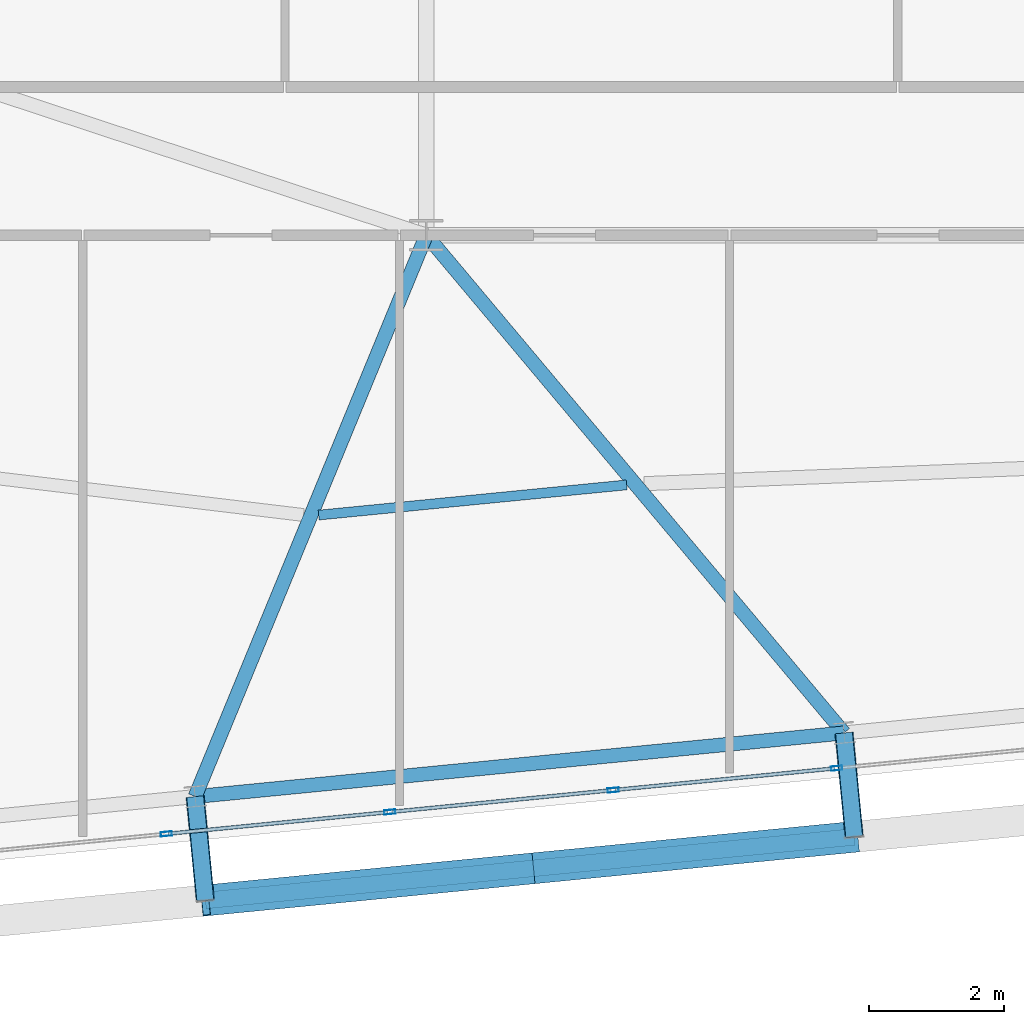
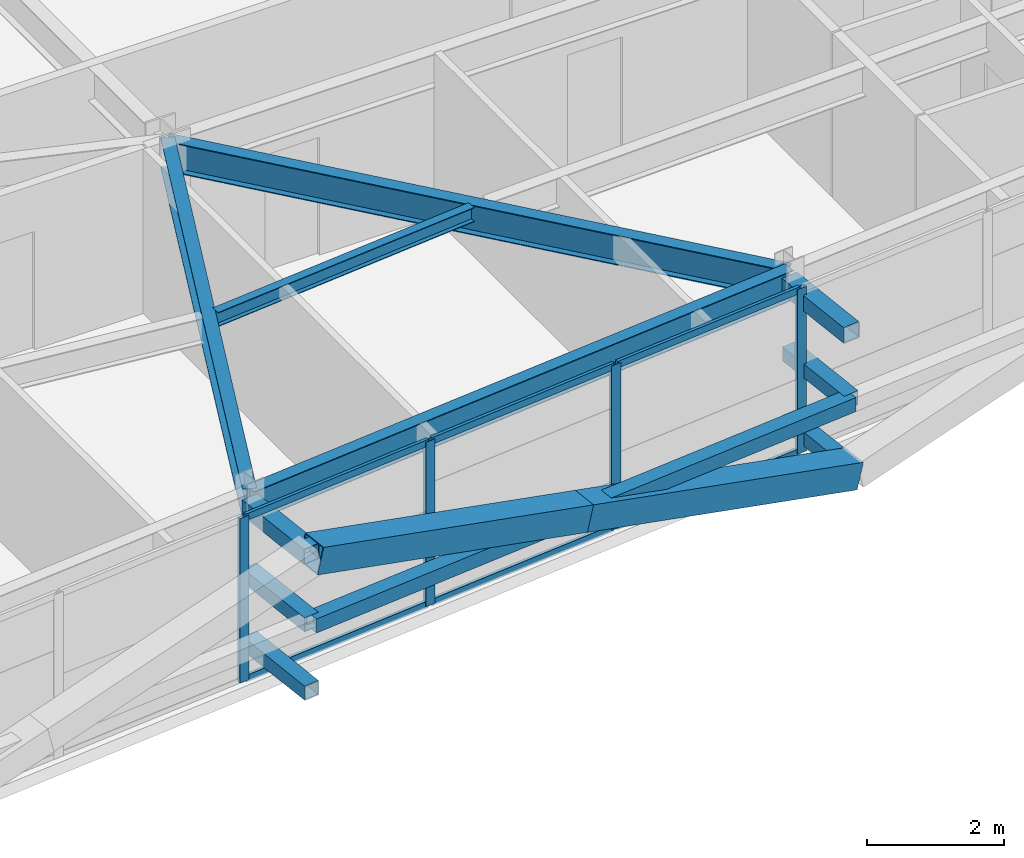
# One storey, part 10 of 53: 19 members, 4 beams, 1 element without a shape of its own.
"""IFC4 building model written with IfcOpenShell, lengths in metres."""

from ifc_helpers import new_model, si_unit, direction, frame, origin, origin_2d, place, context, subcontext, project, spatial, hollow_rectangle, i_section, extrude, source, transform, mapped, material, layer, layer_set, material_profile, profile_set, type_object, element, aggregate, save


model = new_model("IFC4")

# Units and contexts
model_context = context("Model", 3, precision=1e-05, world=origin(), true_north=direction((0.0, 1.0)))
body_context = subcontext(model_context, "Body", "Model", "MODEL_VIEW")
ifc_project = project(units=[si_unit("LENGTHUNIT", "METRE"), si_unit("AREAUNIT", "SQUARE_METRE"), si_unit("VOLUMEUNIT", "CUBIC_METRE"), si_unit("PLANEANGLEUNIT", "RADIAN"), si_unit("MASSUNIT", "GRAM", prefix="KILO")], contexts=[model_context])

# Site, building, storey
site_placement = place(None, origin())
site = spatial("IfcSite", under=ifc_project, at=site_placement, CompositionType="ELEMENT")
building_placement = place(site_placement, origin())
building = spatial("IfcBuilding", under=site, at=building_placement, Name="Taldren Reach Tower", CompositionType="ELEMENT")
storey_placement = place(building_placement, frame((0.0, 0.0, 68.25)))
storey = spatial("IfcBuildingStorey", under=building, at=storey_placement, Name="L20", CompositionType="ELEMENT", Elevation=68.25)

# Beams
ifc_material_1 = material(Name="Steel Gr 350 (350PLUS)", Category="steel")
ifc_material_profile_1 = material_profile(ifc_material_1, i_section(OverallWidth=0.208984375, OverallDepth=0.528076171875, WebThickness=0.009521484375, FlangeThickness=0.01318359375, at=origin_2d()), Name="530UB82.0")
ifc_profile_set_1 = profile_set([ifc_material_profile_1], Name="Steel Gr 350 (350PLUS)")
beam_type_1 = type_object("IfcBeamType", Name="SP-UB530B", PredefinedType="SPANDREL", material=ifc_profile_set_1)
shared_shape_1 = source(origin(), body_context, "Body", "SweptSolid", [
    extrude(i_section(OverallWidth=0.208984375, OverallDepth=0.528076171875, WebThickness=0.009521484375, FlangeThickness=0.01318359375, at=origin_2d()), origin(), (0.0, 0.0, 1.0), 9.679931640625),
])
beam_1_placement = place(storey_placement, frame((24.56787109375, 0.86474609375, 2.666015625), z_axis=(0.995227612658, 0.097580730699, 0.0), x_axis=(-0.097580730699, 0.995227612658, 0.0)))
element("IfcBeam", 1, at=beam_1_placement, inside=storey, type_object=beam_type_1, Name="Perimeter spandrel B2 S2-S3 L20", PredefinedType="SPANDREL", context=body_context, shape_type="MappedRepresentation", body=[
    mapped(shared_shape_1, transform((0.0, 0.0, 0.0), scale=1.0)),
])
ifc_material_profile_2 = material_profile(ifc_material_1, i_section(OverallWidth=0.208984375, OverallDepth=0.532958984375, WebThickness=0.01025390625, FlangeThickness=0.015625, at=origin_2d()), Name="530UB92.4")
ifc_profile_set_2 = profile_set([ifc_material_profile_2], Name="Steel Gr 350 (350PLUS)")
beam_type_2 = type_object("IfcBeamType", Name="BM-UB530A", PredefinedType="BEAM", material=ifc_profile_set_2)
shared_shape_2 = source(origin(), body_context, "Body", "SweptSolid", [
    extrude(i_section(OverallWidth=0.208984375, OverallDepth=0.532958984375, WebThickness=0.01025390625, FlangeThickness=0.015625, at=origin_2d()), origin(), (0.0, 0.0, 1.0), 9.01416015625),
])
beam_2_placement = place(storey_placement, frame((28.0, 9.199951171875, 2.66357421875), z_axis=(-0.380748443035, -0.924678659387, 0.0), x_axis=(0.924678659387, -0.380748443035, 0.0)))
element("IfcBeam", 2, at=beam_2_placement, inside=storey, type_object=beam_type_2, Name="Primary floor girder B2-S2 L20", PredefinedType="BEAM", context=body_context, shape_type="MappedRepresentation", body=[
    mapped(shared_shape_2, transform((0.0, 0.0, 0.0), scale=1.0)),
])
shared_shape_3 = source(origin(), body_context, "Body", "SweptSolid", [
    extrude(i_section(OverallWidth=0.208984375, OverallDepth=0.532958984375, WebThickness=0.01025390625, FlangeThickness=0.015625, at=origin_2d()), origin(), (0.0, 0.0, 1.0), 9.64794921875),
])
beam_3_placement = place(storey_placement, frame((28.0, 9.199951171875, 2.66357421875), z_axis=(0.642799132398, -0.766034774268, 0.0), x_axis=(0.766034774268, 0.642799132398, 0.0)))
element("IfcBeam", 3, at=beam_3_placement, inside=storey, type_object=beam_type_2, Name="Primary floor girder B2-S3 L20", PredefinedType="BEAM", context=body_context, shape_type="MappedRepresentation", body=[
    mapped(shared_shape_3, transform((0.0, 0.0, 0.0), scale=1.0)),
])
ifc_material_2 = material(Name="Steel Gr 300 (300PLUS, 300 MPa)", Category="steel")
ifc_material_profile_3 = material_profile(ifc_material_2, i_section(OverallWidth=0.14599609375, OverallDepth=0.256103515625, WebThickness=0.00634765625, FlangeThickness=0.010986328125, at=origin_2d()), Name="250UB37.3")
ifc_profile_set_3 = profile_set([ifc_material_profile_3], Name="Steel Gr 300 (300PLUS, 300 MPa)")
beam_type_3 = type_object("IfcBeamType", Name="JS-UB250", PredefinedType="JOIST", material=ifc_profile_set_3)
shared_shape_4 = source(origin(), body_context, "Body", "SweptSolid", [
    extrude(i_section(OverallWidth=0.14599609375, OverallDepth=0.256103515625, WebThickness=0.00634765625, FlangeThickness=0.010986328125, at=origin_2d()), origin(), (0.0, 0.0, 1.0), 4.594970703125),
])
beam_4_placement = place(storey_placement, frame((26.40185546875, 5.0439453125, 2.802001953125), z_axis=(0.995230447096, 0.097551817888, 0.0), x_axis=(-0.097551817888, 0.995230447096, 0.0)))
element("IfcBeam", 4, at=beam_4_placement, inside=storey, type_object=beam_type_3, Name="Secondary floor joist B2 J2 L20", PredefinedType="JOIST", context=body_context, shape_type="MappedRepresentation", body=[
    mapped(shared_shape_4, transform((0.0, 0.0, 0.0), scale=1.0)),
])

# Members
ifc_material_3 = material(Name="Steel Gr 450 (C450L0)", Category="steel")
ifc_material_profile_4 = material_profile(ifc_material_3, hollow_rectangle(XDim=0.27490234375, YDim=0.27490234375, WallThickness=0.00927734375, at=origin_2d()), Name="275x275x9.3SHS")
ifc_profile_set_4 = profile_set([ifc_material_profile_4], Name="Steel Gr 450 (C450L0)")
member_type_1 = type_object("IfcMemberType", Name="MB-TIE273", PredefinedType="STRUT", material=ifc_profile_set_4)
shared_shape_5 = source(origin(), body_context, "Body", "SweptSolid", [
    extrude(hollow_rectangle(XDim=0.27490234375, YDim=0.27490234375, WallThickness=0.00927734375, at=origin_2d()), origin(), (0.0, 0.0, 1.0), 1.550048828125),
])
for number, where, z_axis, x_axis, name in (
    (5, (24.56787109375, 0.86474609375, 2.64990234375), (0.097647892962, -0.9952210252, 0.0), (0.9952210252, 0.097647892962, 0.0), "Exoskeleton diaphragm tie strut B2-S2 L20"),
    (6, (34.20166015625, 1.809326171875, 2.64990234375), (0.097647892962, -0.9952210252, 0.0), (0.9952210252, 0.097647892962, 0.0), "Exoskeleton diaphragm tie strut B2-S3 L20"),
):
    element("IfcMember", number, at=place(storey_placement, frame(where, z_axis=z_axis, x_axis=x_axis)), inside=storey, type_object=member_type_1, Name=name, PredefinedType="STRUT", context=body_context, shape_type="MappedRepresentation", body=[
        mapped(shared_shape_5, transform((0.0, 0.0, 0.0), scale=1.0)),
    ])
ifc_material_profile_5 = material_profile(ifc_material_3, hollow_rectangle(XDim=0.4599609375, YDim=0.4599609375, WallThickness=0.01611328125, at=origin_2d()), Name="460x460x16.0SHS")
ifc_profile_set_5 = profile_set([ifc_material_profile_5], Name="Steel Gr 450 (C450L0)")
member_type_2 = type_object("IfcMemberType", Name="MB-EXO457", PredefinedType="BRACE", material=ifc_profile_set_5)
shared_shape_6 = source(origin(), body_context, "Body", "SweptSolid", [
    extrude(hollow_rectangle(XDim=0.4599609375, YDim=0.4599609375, WallThickness=0.01611328125, at=origin_2d()), origin(), (0.0, 0.0, 1.0), 4.990234375),
])
for number, where, z_axis, x_axis, name in (
    (7, (34.35302734375, 0.2666015625, 0.219970703125), (-0.965275526283, -0.094619506732, 0.243496010862), (0.097555749586, -0.995230061706, 0.0), "Exoskeleton Diagrid Brace B2-S2 L20"),
    (8, (29.5361328125, -0.20556640625, 1.43505859375), (-0.965282554799, -0.094669120301, 0.243448859234), (0.097605711627, -0.995225162995, 0.0), "Exoskeleton Diagrid Brace B2-S2 L20"),
):
    element("IfcMember", number, at=place(storey_placement, frame(where, z_axis=z_axis, x_axis=x_axis)), inside=storey, type_object=member_type_2, Name=name, PredefinedType="BRACE", context=body_context, shape_type="MappedRepresentation", body=[
        mapped(shared_shape_6, transform((0.0, 0.0, 0.0), scale=1.0)),
    ])
ifc_material_4 = material(Name="Steel Gr 350 (C350L0)", Category="steel")
ifc_material_profile_6 = material_profile(ifc_material_4, hollow_rectangle(XDim=0.25, YDim=0.25, WallThickness=0.010009765625, at=origin_2d()), Name="250x250x10.0SHS")
ifc_profile_set_6 = profile_set([ifc_material_profile_6], Name="Steel Gr 350 (C350L0)")
member_type_3 = type_object("IfcMemberType", Name="MB-POST250", PredefinedType="POST", material=ifc_profile_set_6)
shared_shape_7 = source(origin(), body_context, "Body", "SweptSolid", [
    extrude(hollow_rectangle(XDim=0.25, YDim=0.25, WallThickness=0.010009765625, at=origin_2d()), origin(), (0.0, 0.0, 1.0), 9.679931640625),
])
member_1_placement = place(storey_placement, frame((24.71923828125, -0.677978515625, 1.43505859375), z_axis=(0.995227612658, 0.097580730699, 0.0), x_axis=(-0.097580730699, 0.995227612658, 0.0)))
element("IfcMember", 9, at=member_1_placement, inside=storey, type_object=member_type_3, Name="Exoskeleton mid-height ring chord B2-S2 L20", PredefinedType="POST", context=body_context, shape_type="MappedRepresentation", body=[
    mapped(shared_shape_7, transform((0.0, 0.0, 0.0), scale=1.0)),
])
shared_shape_8 = source(origin(), body_context, "Body", "SweptSolid", [
    extrude(hollow_rectangle(XDim=0.25, YDim=0.25, WallThickness=0.010009765625, at=origin_2d()), origin(), (0.0, 0.0, 1.0), 1.550048828125),
])
for number, where, z_axis, x_axis, name in (
    (10, (24.56787109375, 0.86474609375, 0.219970703125), (0.097647892962, -0.9952210252, 0.0), (0.9952210252, 0.097647892962, 0.0), "Exoskeleton base diaphragm tie strut B2-S2 L20"),
    (11, (34.20166015625, 1.809326171875, 0.219970703125), (0.097647892962, -0.9952210252, 0.0), (0.9952210252, 0.097647892962, 0.0), "Exoskeleton base diaphragm tie strut B2-S3 L20"),
    (12, (24.56787109375, 0.86474609375, 1.43505859375), (0.097647892962, -0.9952210252, 0.0), (0.9952210252, 0.097647892962, 0.0), "Exoskeleton mid-tier diaphragm tie B2-S2 L20"),
    (13, (34.20166015625, 1.809326171875, 1.43505859375), (0.097647892962, -0.9952210252, 0.0), (0.9952210252, 0.097647892962, 0.0), "Exoskeleton mid-tier diaphragm tie B2-S3 L20"),
):
    element("IfcMember", number, at=place(storey_placement, frame(where, z_axis=z_axis, x_axis=x_axis)), inside=storey, type_object=member_type_3, Name=name, PredefinedType="POST", context=body_context, shape_type="MappedRepresentation", body=[
        mapped(shared_shape_8, transform((0.0, 0.0, 0.0), scale=1.0)),
    ])

# Curtain wall, members
ifc_material_5 = material(Name="Aluminium and Low-E Glass Unitised System", Category="aluminium")
ifc_layer = layer(ifc_material_5, 0.159912109375)
ifc_layer_set = layer_set([ifc_layer], Name="Aluminium and Low-E Glass Unitised System")
curtain_wall_type = type_object("IfcCurtainWallType", Name="CW-SYS-3", PredefinedType="NOTDEFINED", material=ifc_layer_set)
curtain_wall_placement = place(storey_placement, origin())
curtain_wall = element("IfcCurtainWall", 14, at=curtain_wall_placement, inside=storey, type_object=curtain_wall_type, Name="Unitised curtain wall CW-L20-S", PredefinedType="NOTDEFINED")
ifc_material_6 = material(Name="Anodised Aluminium 6063-T6", Category="aluminium")
ifc_material_profile_7 = material_profile(ifc_material_6, hollow_rectangle(XDim=0.06494140625, YDim=0.1650390625, WallThickness=0.00390625, at=origin_2d()), Name="ALU-165x65x4RHS")
ifc_profile_set_7 = profile_set([ifc_material_profile_7], Name="Anodised Aluminium 6063-T6")
member_type_4 = type_object("IfcMemberType", Name="CW-MUL-165", PredefinedType="MULLION", material=ifc_profile_set_7)
shared_shape_9 = source(origin(), body_context, "Body", "SweptSolid", [
    extrude(hollow_rectangle(XDim=0.06494140625, YDim=0.1650390625, WallThickness=0.00390625, at=origin_2d()), origin(), (0.0, 0.0, 1.0), 2.929931640625),
])
member_2_placement = place(storey_placement, frame((24.14013671875, 0.310302734375, 0.0), z_axis=(0.0, 0.0, 1.0), x_axis=(-0.097582999046, 0.995227390247, 0.0)))
member_2 = element("IfcMember", 15, at=member_2_placement, type_object=member_type_4, Name="CW-3 mullion 4", PredefinedType="MULLION", context=body_context, shape_type="MappedRepresentation", body=[
    mapped(shared_shape_9, transform((0.0, 0.0, 0.0), scale=1.0)),
])
member_3_placement = place(storey_placement, frame((27.45751953125, 0.635498046875, 0.0), z_axis=(0.0, 0.0, 1.0), x_axis=(-0.097582999046, 0.995227390247, 0.0)))
member_3 = element("IfcMember", 16, at=member_3_placement, type_object=member_type_4, Name="CW-3 mullion 5", PredefinedType="MULLION", context=body_context, shape_type="MappedRepresentation", body=[
    mapped(shared_shape_9, transform((0.0, 0.0, 0.0), scale=1.0)),
])
member_4_placement = place(storey_placement, frame((30.77490234375, 0.9609375, 0.0), z_axis=(0.0, 0.0, 1.0), x_axis=(-0.097582999046, 0.995227390247, 0.0)))
member_4 = element("IfcMember", 17, at=member_4_placement, type_object=member_type_4, Name="CW-3 mullion 6", PredefinedType="MULLION", context=body_context, shape_type="MappedRepresentation", body=[
    mapped(shared_shape_9, transform((0.0, 0.0, 0.0), scale=1.0)),
])
member_5_placement = place(storey_placement, frame((34.09228515625, 1.2861328125, 0.0), z_axis=(0.0, 0.0, 1.0), x_axis=(-0.097582999046, 0.995227390247, 0.0)))
member_5 = element("IfcMember", 18, at=member_5_placement, type_object=member_type_4, Name="CW-3 mullion 7", PredefinedType="MULLION", context=body_context, shape_type="MappedRepresentation", body=[
    mapped(shared_shape_9, transform((0.0, 0.0, 0.0), scale=1.0)),
])
ifc_material_profile_8 = material_profile(ifc_material_6, hollow_rectangle(XDim=0.054931640625, YDim=0.1201171875, WallThickness=0.0029296875, at=origin_2d()), Name="ALU-120x55x3RHS")
ifc_profile_set_8 = profile_set([ifc_material_profile_8], Name="Anodised Aluminium 6063-T6")
member_type_5 = type_object("IfcMemberType", Name="CW-TRN-135", PredefinedType="USERDEFINED", material=ifc_profile_set_8)
shared_shape_10 = source(origin(), body_context, "Body", "SweptSolid", [
    extrude(hollow_rectangle(XDim=0.054931640625, YDim=0.1201171875, WallThickness=0.0029296875, at=origin_2d()), origin(), (0.0, 0.0, 1.0), 3.268310546875),
])
member_6_placement = place(storey_placement, frame((24.17236328125, 0.3134765625, 0.027587890625), z_axis=(0.99522980512, 0.097558367146, 0.0), x_axis=(-0.097558367146, 0.99522980512, 0.0)))
member_6 = element("IfcMember", 19, at=member_6_placement, type_object=member_type_5, Name="CW-3 transom 4.1", ObjectType="TRANSOM", PredefinedType="USERDEFINED", context=body_context, shape_type="MappedRepresentation", body=[
    mapped(shared_shape_10, transform((0.0, 0.0, 0.0), scale=1.0)),
])
member_7_placement = place(storey_placement, frame((24.17236328125, 0.3134765625, 2.902587890625), z_axis=(0.99522980512, 0.097558367146, 0.0), x_axis=(-0.097558367146, 0.99522980512, 0.0)))
member_7 = element("IfcMember", 20, at=member_7_placement, type_object=member_type_5, Name="CW-3 transom 4.2", ObjectType="TRANSOM", PredefinedType="USERDEFINED", context=body_context, shape_type="MappedRepresentation", body=[
    mapped(shared_shape_10, transform((0.0, 0.0, 0.0), scale=1.0)),
])
member_8_placement = place(storey_placement, frame((27.48974609375, 0.638671875, 0.027587890625), z_axis=(0.995222549564, 0.097632355496, 0.0), x_axis=(-0.097632355496, 0.995222549564, 0.0)))
member_8 = element("IfcMember", 21, at=member_8_placement, type_object=member_type_5, Name="CW-3 transom 5.1", ObjectType="TRANSOM", PredefinedType="USERDEFINED", context=body_context, shape_type="MappedRepresentation", body=[
    mapped(shared_shape_10, transform((0.0, 0.0, 0.0), scale=1.0)),
])
member_9_placement = place(storey_placement, frame((27.48974609375, 0.638671875, 2.902587890625), z_axis=(0.995222549564, 0.097632355496, 0.0), x_axis=(-0.097632355496, 0.995222549564, 0.0)))
member_9 = element("IfcMember", 22, at=member_9_placement, type_object=member_type_5, Name="CW-3 transom 5.2", ObjectType="TRANSOM", PredefinedType="USERDEFINED", context=body_context, shape_type="MappedRepresentation", body=[
    mapped(shared_shape_10, transform((0.0, 0.0, 0.0), scale=1.0)),
])
shared_shape_11 = source(origin(), body_context, "Body", "SweptSolid", [
    extrude(hollow_rectangle(XDim=0.054931640625, YDim=0.1201171875, WallThickness=0.0029296875, at=origin_2d()), origin(), (0.0, 0.0, 1.0), 3.2685546875),
])
member_10_placement = place(storey_placement, frame((30.80712890625, 0.964111328125, 0.027587890625), z_axis=(0.99523051601, 0.097551114824, 0.0), x_axis=(-0.097551114824, 0.99523051601, 0.0)))
member_10 = element("IfcMember", 23, at=member_10_placement, type_object=member_type_5, Name="CW-3 transom 6.1", ObjectType="TRANSOM", PredefinedType="USERDEFINED", context=body_context, shape_type="MappedRepresentation", body=[
    mapped(shared_shape_11, transform((0.0, 0.0, 0.0), scale=1.0)),
])
member_11_placement = place(storey_placement, frame((30.80712890625, 0.964111328125, 2.902587890625), z_axis=(0.99523051601, 0.097551114824, 0.0), x_axis=(-0.097551114824, 0.99523051601, 0.0)))
member_11 = element("IfcMember", 24, at=member_11_placement, type_object=member_type_5, Name="CW-3 transom 6.2", ObjectType="TRANSOM", PredefinedType="USERDEFINED", context=body_context, shape_type="MappedRepresentation", body=[
    mapped(shared_shape_11, transform((0.0, 0.0, 0.0), scale=1.0)),
])
aggregate(curtain_wall, [member_2, member_3, member_4, member_5, member_6, member_7, member_8, member_9, member_10, member_11])

save(model, "model.ifc")
